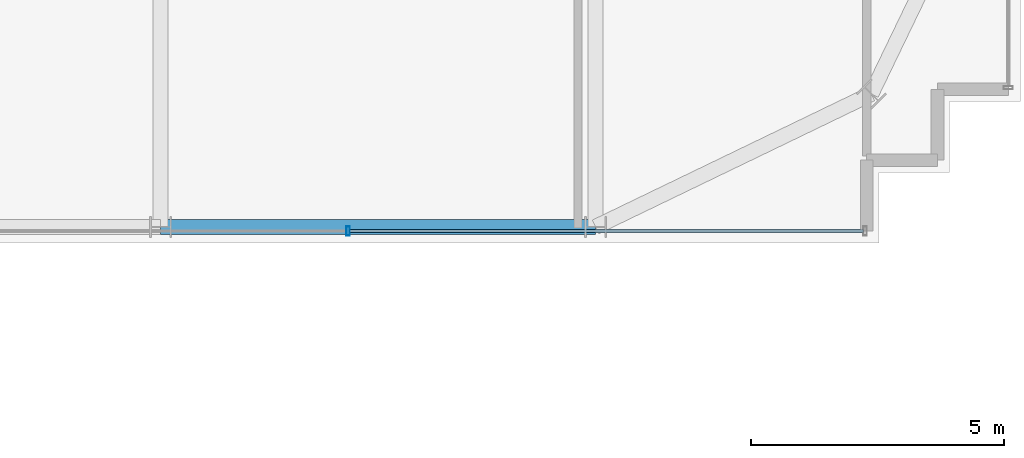
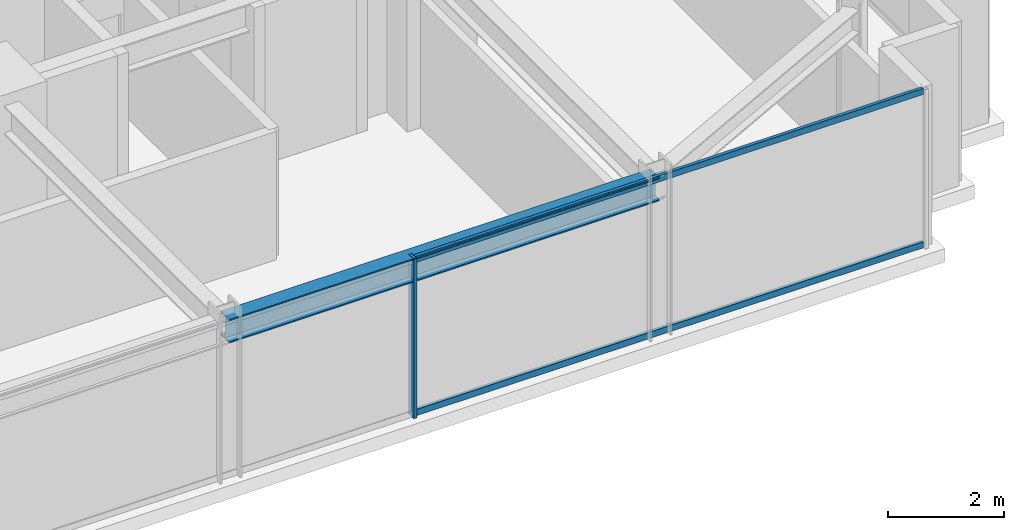
# One storey, part 12 of 37: 3 members, 1 beam, 1 element without a shape of its own.
"""IFC4 building model written with IfcOpenShell, lengths in metres."""

from ifc_helpers import new_model, si_unit, direction, frame, origin, origin_2d, place, context, subcontext, project, spatial, hollow_rectangle, i_section, extrude, source, transform, mapped, material, material_profile, profile_set, type_object, element, aggregate, save


model = new_model("IFC4")

# Units and contexts
model_context = context("Model", 3, precision=1e-05, world=origin(), true_north=direction((0.0, 1.0)))
body_context = subcontext(model_context, "Body", "Model", "MODEL_VIEW")
ifc_project = project(units=[si_unit("LENGTHUNIT", "METRE"), si_unit("AREAUNIT", "SQUARE_METRE"), si_unit("VOLUMEUNIT", "CUBIC_METRE"), si_unit("PLANEANGLEUNIT", "RADIAN"), si_unit("MASSUNIT", "GRAM", prefix="KILO")], contexts=[model_context])

# Site, building, storey
site_placement = place(None, origin())
site = spatial("IfcSite", under=ifc_project, at=site_placement, CompositionType="ELEMENT")
building_placement = place(site_placement, origin())
building = spatial("IfcBuilding", under=site, at=building_placement, Name="Nahalor Promenade Grand Hotel", CompositionType="ELEMENT")
storey_placement = place(building_placement, frame((0.0, 0.0, 36.050048828125)))
storey = spatial("IfcBuildingStorey", under=building, at=storey_placement, Name="L07", CompositionType="ELEMENT", Elevation=36.050048828125)

# Beam
ifc_material_1 = material(Name="Steel S355JR", Category="steel")
ifc_material_profile_1 = material_profile(ifc_material_1, i_section(OverallWidth=0.3, OverallDepth=0.5, WebThickness=0.0145, FlangeThickness=0.028, at=origin_2d()), Name="HEB 500")
ifc_profile_set_1 = profile_set([ifc_material_profile_1], Name="Steel S355JR")
beam_type = type_object("IfcBeamType", Name="Beam-Spandrel-HEB500", PredefinedType="SPANDREL", material=ifc_profile_set_1)
shared_shape_1 = source(origin(), body_context, "Body", "SweptSolid", [
    extrude(i_section(OverallWidth=0.3, OverallDepth=0.5, WebThickness=0.0145, FlangeThickness=0.028, at=origin_2d()), origin(), (0.0, 0.0, 1.0), 8.60009765625),
])
beam_placement = place(storey_placement, frame((8.39990234375, -25.080078125, 3.119873046875), z_axis=(1.0, 0.0, 0.0), x_axis=(0.0, 1.0, 0.0)))
element("IfcBeam", 1, at=beam_placement, inside=storey, type_object=beam_type, Name="BM-L07-SP-S-4", PredefinedType="SPANDREL", context=body_context, shape_type="MappedRepresentation", body=[
    mapped(shared_shape_1, transform((0.0, 0.0, 0.0), scale=1.0)),
])

# Curtain wall, members
ifc_material_2 = material(Name="Anodised Bronze Aluminium EN AW-6063 T6", Category="aluminium")
curtain_wall_type = type_object("IfcCurtainWallType", Name="CW2 Typical Hotel Flush Bronze Unitised Curtain Wall", PredefinedType="USERDEFINED", material=ifc_material_2)
curtain_wall_placement = place(storey_placement, origin())
curtain_wall = element("IfcCurtainWall", 2, at=curtain_wall_placement, inside=storey, type_object=curtain_wall_type, Name="L07 Curtain Wall CW-L07-S-3", ObjectType="UNITISED_CURTAIN_WALL", PredefinedType="USERDEFINED")
ifc_material_profile_2 = material_profile(ifc_material_2, hollow_rectangle(XDim=0.065, YDim=0.13, WallThickness=0.004, at=origin_2d()), Name="CWT 65x130x4")
ifc_profile_set_2 = profile_set([ifc_material_profile_2], Name="Anodised Bronze Aluminium EN AW-6063 T6")
member_type_1 = type_object("IfcMemberType", Name="CWT2 Typical Bronze Transom 65x130", PredefinedType="USERDEFINED", material=ifc_profile_set_2)
shared_shape_2 = source(origin(), body_context, "Body", "SweptSolid", [
    extrude(hollow_rectangle(XDim=0.065, YDim=0.13, WallThickness=0.004, at=origin_2d()), origin(), (0.0, 0.0, 1.0), 10.15576171875),
])
member_1_placement = place(storey_placement, frame((12.13916015625, -25.159912109375, 0.06494140625), z_axis=(1.0, 0.0, 0.0), x_axis=(0.0, 1.0, 0.0)))
member_1 = element("IfcMember", 3, at=member_1_placement, type_object=member_type_1, Name="CW-L07-S-3 Transom 2-0", ObjectType="TRANSOM", PredefinedType="USERDEFINED", context=body_context, shape_type="MappedRepresentation", body=[
    mapped(shared_shape_2, transform((0.0, 0.0, 0.0), scale=1.0)),
])
member_2_placement = place(storey_placement, frame((12.13916015625, -25.159912109375, 3.304931640625), z_axis=(1.0, 0.0, 0.0), x_axis=(0.0, 1.0, 0.0)))
member_2 = element("IfcMember", 4, at=member_2_placement, type_object=member_type_1, Name="CW-L07-S-3 Transom 2-1", ObjectType="TRANSOM", PredefinedType="USERDEFINED", context=body_context, shape_type="MappedRepresentation", body=[
    mapped(shared_shape_2, transform((0.0, 0.0, 0.0), scale=1.0)),
])
ifc_material_profile_3 = material_profile(ifc_material_2, hollow_rectangle(XDim=0.065, YDim=0.18, WallThickness=0.004, at=origin_2d()), Name="CWM 65x180x4")
ifc_profile_set_3 = profile_set([ifc_material_profile_3], Name="Anodised Bronze Aluminium EN AW-6063 T6")
member_type_2 = type_object("IfcMemberType", Name="CWM2 Typical Bronze Mullion 65x180", PredefinedType="MULLION", material=ifc_profile_set_3)
shared_shape_3 = source(origin(), body_context, "Body", "SweptSolid", [
    extrude(hollow_rectangle(XDim=0.065, YDim=0.18, WallThickness=0.004, at=origin_2d()), origin(), (0.0, 0.0, 1.0), 3.369873046875),
])
member_3_placement = place(storey_placement, frame((12.106689453125, -25.159912109375, 0.0), z_axis=(0.0, 0.0, 1.0), x_axis=(1.0, 0.0, 0.0)))
member_3 = element("IfcMember", 5, at=member_3_placement, type_object=member_type_2, Name="CW-L07-S-3 Mullion 2", PredefinedType="MULLION", context=body_context, shape_type="MappedRepresentation", body=[
    mapped(shared_shape_3, transform((0.0, 0.0, 0.0), scale=1.0)),
])
aggregate(curtain_wall, [member_3, member_1, member_2])

save(model, "model.ifc")
